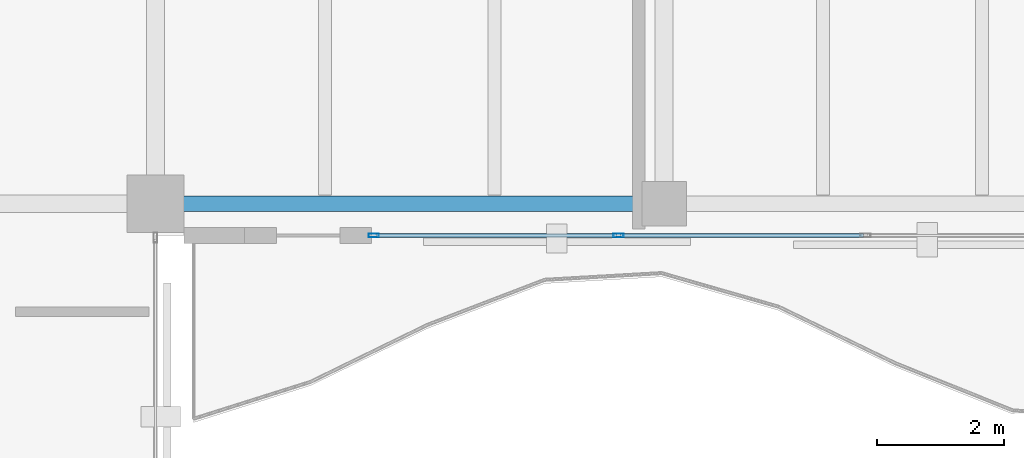
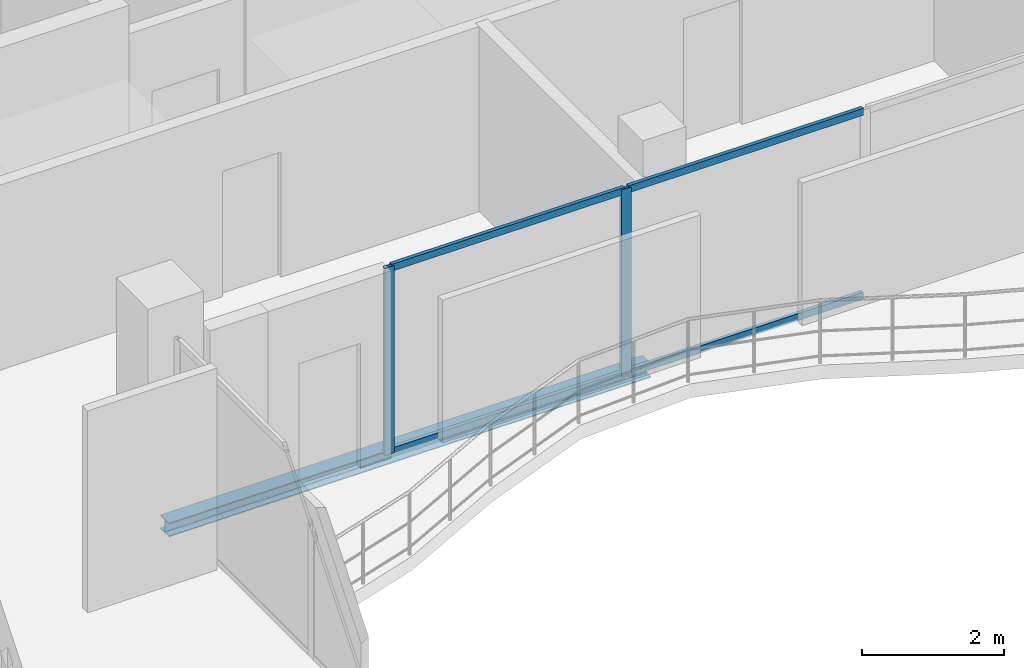
# One storey, part 5 of 16: 6 members, 1 beam, 1 element without a shape of its own.
"""IFC4 building model written with IfcOpenShell, lengths in metres."""

from ifc_helpers import new_model, si_unit, direction, frame, origin, origin_2d, place, context, subcontext, project, spatial, hollow_rectangle, i_section, extrude, material, layer, layer_set, material_profile, profile_set, type_object, element, aggregate, save


model = new_model("IFC4")

# Units and contexts
model_context = context("Model", 3, precision=1e-05, world=origin(), true_north=direction((0.0, 1.0)))
body_context = subcontext(model_context, "Body", "Model", "MODEL_VIEW")
ifc_project = project(units=[si_unit("LENGTHUNIT", "METRE"), si_unit("AREAUNIT", "SQUARE_METRE"), si_unit("VOLUMEUNIT", "CUBIC_METRE"), si_unit("PLANEANGLEUNIT", "RADIAN"), si_unit("MASSUNIT", "GRAM", prefix="KILO")], contexts=[model_context])

# Site, building, storey
site_placement = place(None, origin())
site = spatial("IfcSite", under=ifc_project, at=site_placement, CompositionType="ELEMENT")
building_placement = place(site_placement, origin())
building = spatial("IfcBuilding", under=site, at=building_placement, Name="Catumbela Crestline Tower", CompositionType="ELEMENT")
storey_placement = place(building_placement, frame((0.0, 0.0, 286.8)))
storey = spatial("IfcBuildingStorey", under=building, at=storey_placement, Name="L74", CompositionType="ELEMENT", Elevation=286.8)

# Curtain wall, members
ifc_material_1 = material(Name="Aluminium alloy AW-6060-T66", Category="aluminium")
ifc_layer = layer(ifc_material_1, 0.18, Name="Aluminium alloy AW-6060-T66")
ifc_layer_set = layer_set([ifc_layer], Name="Aluminium alloy AW-6060-T66")
curtain_wall_type = type_object("IfcCurtainWallType", Name="CWU-Z4", PredefinedType="USERDEFINED", material=ifc_layer_set)
curtain_wall_placement = place(storey_placement, origin())
curtain_wall = element("IfcCurtainWall", 1, at=curtain_wall_placement, inside=storey, type_object=curtain_wall_type, Name="L74 Unitised Curtain Wall CW-L74-E3S2", ObjectType="UNITISED", PredefinedType="USERDEFINED")
ifc_material_profile_1 = material_profile(ifc_material_1, hollow_rectangle(XDim=0.06, YDim=0.16, WallThickness=0.004, at=origin_2d()), Name="ALU 160x60x4")
ifc_profile_set_1 = profile_set([ifc_material_profile_1], Name="Aluminium alloy AW-6060-T66")
member_type_1 = type_object("IfcMemberType", Name="MUL-160X60", PredefinedType="MULLION", material=ifc_profile_set_1)
member_1_placement = place(storey_placement, frame((27.4325, 24.0, 0.0), z_axis=(0.0, 0.0, 1.0), x_axis=(0.0, 1.0, 0.0)))
member_1 = element("IfcMember", 2, at=member_1_placement, type_object=member_type_1, Name="CWU-Z4 mullion 1", PredefinedType="MULLION", context=body_context, shape_type="SweptSolid", body=[
    extrude(hollow_rectangle(XDim=0.06, YDim=0.16, WallThickness=0.004, at=origin_2d()), origin(), (0.0, 0.0, 1.0), 3.22),
])
member_2_placement = place(storey_placement, frame((31.2833, 24.0, 0.0), z_axis=(0.0, 0.0, 1.0), x_axis=(0.0, 1.0, 0.0)))
member_2 = element("IfcMember", 3, at=member_2_placement, type_object=member_type_1, Name="CWU-Z4 mullion 2", PredefinedType="MULLION", context=body_context, shape_type="SweptSolid", body=[
    extrude(hollow_rectangle(XDim=0.06, YDim=0.16, WallThickness=0.004, at=origin_2d()), origin(), (0.0, 0.0, 1.0), 3.22),
])

# Beam
ifc_material_2 = material(Name="Structural steel S355J2", Category="steel")
ifc_material_profile_2 = material_profile(ifc_material_2, i_section(OverallWidth=0.24, OverallDepth=0.24, WebThickness=0.01, FlangeThickness=0.017, FilletRadius=0.021, at=origin_2d()), Name="HEB 240")
ifc_profile_set_2 = profile_set([ifc_material_profile_2], Name="Structural steel S355J2")
beam_type = type_object("IfcBeamType", Name="BS-HEB240", PredefinedType="SPANDREL", material=ifc_profile_set_2)
beam_placement = place(storey_placement, frame((24.08, 24.5, -0.38), z_axis=(1.0, 0.0, 0.0), x_axis=(0.0, 1.0, 0.0)))
element("IfcBeam", 4, at=beam_placement, inside=storey, type_object=beam_type, Name="L74 Spandrel SP-L74-S02", PredefinedType="SPANDREL", context=body_context, shape_type="SweptSolid", body=[
    extrude(i_section(OverallWidth=0.24, OverallDepth=0.24, WebThickness=0.01, FlangeThickness=0.017, FilletRadius=0.021, at=origin_2d()), origin(), (0.0, 0.0, 1.0), 7.84),
])

# Member
ifc_material_profile_3 = material_profile(ifc_material_1, hollow_rectangle(XDim=0.06, YDim=0.12, WallThickness=0.0035, at=origin_2d()), Name="ALU 120x60x3.5")
ifc_profile_set_3 = profile_set([ifc_material_profile_3], Name="Aluminium alloy AW-6060-T66")
member_type_2 = type_object("IfcMemberType", Name="TRN-120X60", PredefinedType="USERDEFINED", material=ifc_profile_set_3)
member_3_placement = place(storey_placement, frame((27.465, 24.0, 0.03), z_axis=(1.0, 0.0, 0.0), x_axis=(0.0, 1.0, 0.0)))
member_3 = element("IfcMember", 5, at=member_3_placement, type_object=member_type_2, Name="CWU-Z4 transom 1.1", ObjectType="TRANSOM", PredefinedType="USERDEFINED", context=body_context, shape_type="SweptSolid", body=[
    extrude(hollow_rectangle(XDim=0.06, YDim=0.12, WallThickness=0.0035, at=origin_2d()), origin(), (0.0, 0.0, 1.0), 3.7858),
])

member_4_placement = place(storey_placement, frame((27.465, 24.0, 3.19), z_axis=(1.0, 0.0, 0.0), x_axis=(0.0, 1.0, 0.0)))
member_4 = element("IfcMember", 6, at=member_4_placement, type_object=member_type_2, Name="CWU-Z4 transom 1.2", ObjectType="TRANSOM", PredefinedType="USERDEFINED", context=body_context, shape_type="SweptSolid", body=[
    extrude(hollow_rectangle(XDim=0.06, YDim=0.12, WallThickness=0.0035, at=origin_2d()), origin(), (0.0, 0.0, 1.0), 3.7858),
])

member_5_placement = place(storey_placement, frame((31.3158, 24.0, 0.03), z_axis=(1.0, 0.0, 0.0), x_axis=(0.0, 1.0, 0.0)))
member_5 = element("IfcMember", 7, at=member_5_placement, type_object=member_type_2, Name="CWU-Z4 transom 2.1", ObjectType="TRANSOM", PredefinedType="USERDEFINED", context=body_context, shape_type="SweptSolid", body=[
    extrude(hollow_rectangle(XDim=0.06, YDim=0.12, WallThickness=0.0035, at=origin_2d()), origin(), (0.0, 0.0, 1.0), 3.8184),
])

member_6_placement = place(storey_placement, frame((31.3158, 24.0, 3.19), z_axis=(1.0, 0.0, 0.0), x_axis=(0.0, 1.0, 0.0)))
member_6 = element("IfcMember", 8, at=member_6_placement, type_object=member_type_2, Name="CWU-Z4 transom 2.2", ObjectType="TRANSOM", PredefinedType="USERDEFINED", context=body_context, shape_type="SweptSolid", body=[
    extrude(hollow_rectangle(XDim=0.06, YDim=0.12, WallThickness=0.0035, at=origin_2d()), origin(), (0.0, 0.0, 1.0), 3.8184),
])

aggregate(curtain_wall, [member_1, member_2, member_3, member_4, member_5, member_6])

save(model, "model.ifc")
